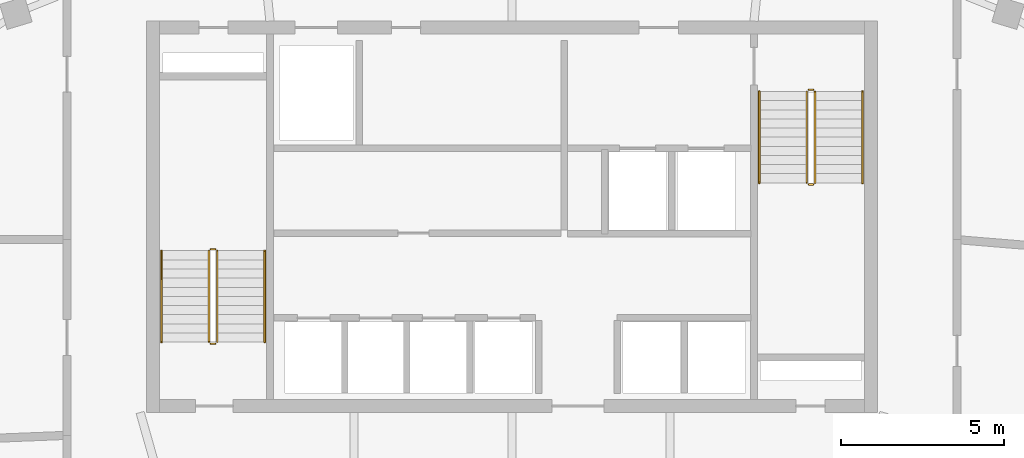
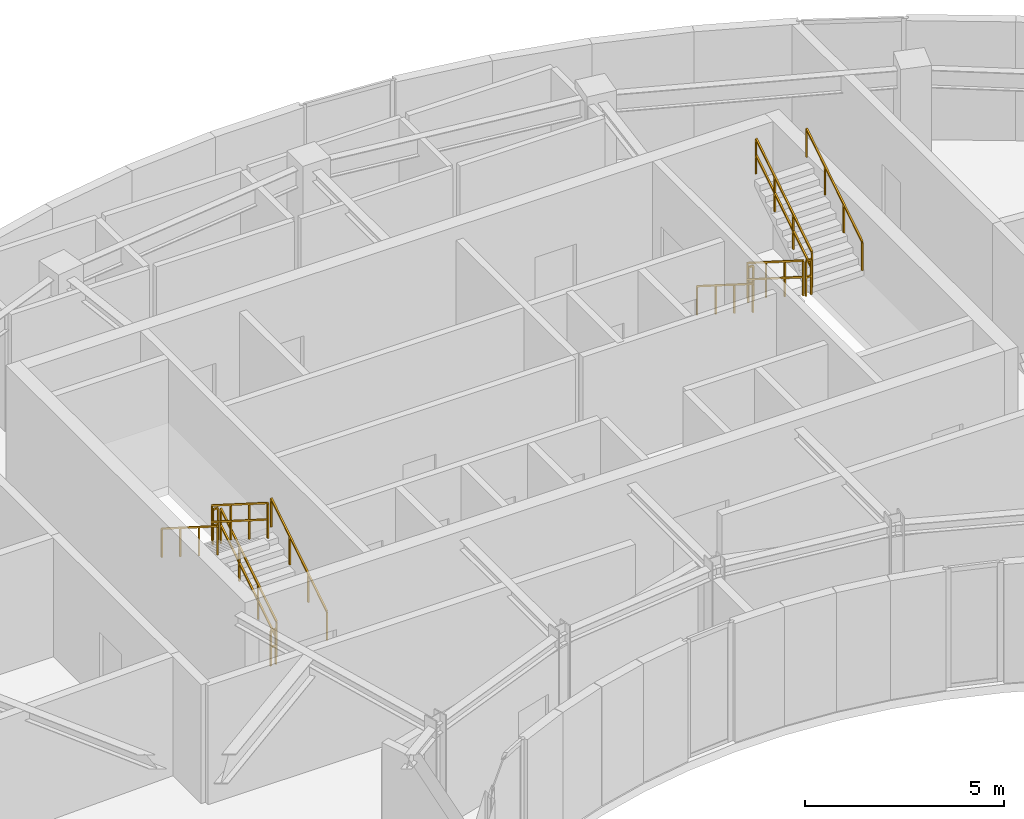
# One storey, part 9 of 9: 12 railings.
"""IFC4 building model written with IfcOpenShell, lengths in metres."""

from ifc_helpers import new_model, si_unit, direction, frame, origin, origin_2d, place, context, subcontext, project, spatial, rectangle, extrude, material, type_object, element, save


model = new_model("IFC4")

# Units and contexts
model_context = context("Model", 3, precision=1e-05, world=origin(), true_north=direction((0.0, 1.0)))
body_context = subcontext(model_context, "Body", "Model", "MODEL_VIEW")
ifc_project = project(units=[si_unit("LENGTHUNIT", "METRE"), si_unit("AREAUNIT", "SQUARE_METRE"), si_unit("VOLUMEUNIT", "CUBIC_METRE"), si_unit("PLANEANGLEUNIT", "RADIAN"), si_unit("MASSUNIT", "GRAM", prefix="KILO")], contexts=[model_context])

# Site, building, storey
site_placement = place(None, origin())
site = spatial("IfcSite", under=ifc_project, at=site_placement, CompositionType="ELEMENT")
building_placement = place(site_placement, origin())
building = spatial("IfcBuilding", under=site, at=building_placement, Name="Breltana Convention Tower", CompositionType="ELEMENT")
storey_placement = place(building_placement, frame((0.0, 0.0, 291.300048828125)))
storey = spatial("IfcBuildingStorey", under=building, at=storey_placement, Name="L71", CompositionType="ELEMENT", Elevation=291.300048828125)

# Railings
ifc_material_1 = material(Name="Steel S275 Painted", Category="steel")
railing_type_1 = type_object("IfcRailingType", Name="RL-STAIR-GUARD-1100", PredefinedType="GUARDRAIL", material=ifc_material_1)
railing_1_placement = place(storey_placement, frame((38.9599609375, 62.360107421875, 0.17724609375)))
element("IfcRailing", 1, at=railing_1_placement, inside=storey, type_object=railing_type_1, Name="L71 ST-1 stair guard 1", PredefinedType="GUARDRAIL", context=body_context, shape_type="SweptSolid", body=[
    extrude(rectangle(XDim=0.048095703125, YDim=0.048095703125, at=origin_2d()), frame((0.0, 0.0, 1.076171875), z_axis=(0.0, 0.844887892834, 0.53494340686), x_axis=(-1.0, 0.0, 0.0)), (0.0, 0.0, 1.0), 3.313720703125),
    extrude(rectangle(XDim=0.048095703125, YDim=0.048095703125, at=origin_2d()), frame((0.0, 0.0, 0.572021484375), z_axis=(0.0, 0.844887892834, 0.53494340686), x_axis=(-1.0, 0.0, 0.0)), (0.0, 0.0, 1.0), 3.313720703125),
    extrude(rectangle(XDim=0.0419921875, YDim=0.0419921875, at=origin_2d()), origin(), (0.0, 0.0, 1.0), 1.052001953125),
    extrude(rectangle(XDim=0.0419921875, YDim=0.0419921875, at=origin_2d()), frame((0.0, 0.933349609375, 0.5908203125)), (0.0, 0.0, 1.0), 1.052001953125),
    extrude(rectangle(XDim=0.0419921875, YDim=0.0419921875, at=origin_2d()), frame((0.0, 1.866455078125, 1.181884765625)), (0.0, 0.0, 1.0), 1.052001953125),
    extrude(rectangle(XDim=0.0419921875, YDim=0.0419921875, at=origin_2d()), frame((0.0, 2.7998046875, 1.772705078125)), (0.0, 0.0, 1.0), 1.052001953125),
])
railing_2_placement = place(storey_placement, frame((38.909912109375, 65.2099609375, 1.949951171875)))
element("IfcRailing", 2, at=railing_2_placement, inside=storey, type_object=railing_type_1, Name="L71 ST-1 stair guard 2", PredefinedType="GUARDRAIL", context=body_context, shape_type="SweptSolid", body=[
    extrude(rectangle(XDim=0.048095703125, YDim=0.048095703125, at=origin_2d()), frame((0.0, 0.0, 1.076171875), z_axis=(-1.0, 0.0, 0.0), x_axis=(0.0, -1.0, 0.0)), (0.0, 0.0, 1.0), 0.14990234375),
    extrude(rectangle(XDim=0.048095703125, YDim=0.048095703125, at=origin_2d()), frame((0.0, 0.0, 0.572021484375), z_axis=(-1.0, 0.0, 0.0), x_axis=(0.0, -1.0, 0.0)), (0.0, 0.0, 1.0), 0.14990234375),
    extrude(rectangle(XDim=0.0419921875, YDim=0.0419921875, at=origin_2d()), origin(), (0.0, 0.0, 1.0), 1.052001953125),
    extrude(rectangle(XDim=0.0419921875, YDim=0.0419921875, at=origin_2d()), frame((-0.14990234375, 0.0, 0.0)), (0.0, 0.0, 1.0), 1.052001953125),
])
railing_3_placement = place(storey_placement, frame((38.7099609375, 65.159912109375, 2.127197265625)))
element("IfcRailing", 3, at=railing_3_placement, inside=storey, type_object=railing_type_1, Name="L71 ST-1 stair guard 3", PredefinedType="GUARDRAIL", context=body_context, shape_type="SweptSolid", body=[
    extrude(rectangle(XDim=0.048095703125, YDim=0.048095703125, at=origin_2d()), frame((0.0, 0.0, 1.076171875), z_axis=(0.0, -0.844887892834, 0.53494340686), x_axis=(1.0, 0.0, 0.0)), (0.0, 0.0, 1.0), 3.313720703125),
    extrude(rectangle(XDim=0.048095703125, YDim=0.048095703125, at=origin_2d()), frame((0.0, 0.0, 0.572021484375), z_axis=(0.0, -0.844887892834, 0.53494340686), x_axis=(1.0, 0.0, 0.0)), (0.0, 0.0, 1.0), 3.313720703125),
    extrude(rectangle(XDim=0.0419921875, YDim=0.0419921875, at=origin_2d()), origin(), (0.0, 0.0, 1.0), 1.052001953125),
    extrude(rectangle(XDim=0.0419921875, YDim=0.0419921875, at=origin_2d()), frame((0.0, -0.933349609375, 0.5908203125)), (0.0, 0.0, 1.0), 1.052001953125),
    extrude(rectangle(XDim=0.0419921875, YDim=0.0419921875, at=origin_2d()), frame((0.0, -1.866455078125, 1.181884765625)), (0.0, 0.0, 1.0), 1.052001953125),
    extrude(rectangle(XDim=0.0419921875, YDim=0.0419921875, at=origin_2d()), frame((0.0, -2.7998046875, 1.772705078125)), (0.0, 0.0, 1.0), 1.052001953125),
])
railing_4_placement = place(storey_placement, frame((38.909912109375, 62.31005859375, 0.0)))
element("IfcRailing", 4, at=railing_4_placement, inside=storey, type_object=railing_type_1, Name="L71 ST-1 stair guard 4", PredefinedType="GUARDRAIL", context=body_context, shape_type="SweptSolid", body=[
    extrude(rectangle(XDim=0.048095703125, YDim=0.048095703125, at=origin_2d()), frame((0.0, 0.0, 1.076171875), z_axis=(-1.0, 0.0, 0.0), x_axis=(0.0, -1.0, 0.0)), (0.0, 0.0, 1.0), 0.14990234375),
    extrude(rectangle(XDim=0.048095703125, YDim=0.048095703125, at=origin_2d()), frame((0.0, 0.0, 0.572021484375), z_axis=(-1.0, 0.0, 0.0), x_axis=(0.0, -1.0, 0.0)), (0.0, 0.0, 1.0), 0.14990234375),
    extrude(rectangle(XDim=0.0419921875, YDim=0.0419921875, at=origin_2d()), origin(), (0.0, 0.0, 1.0), 1.052001953125),
    extrude(rectangle(XDim=0.0419921875, YDim=0.0419921875, at=origin_2d()), frame((-0.14990234375, 0.0, 0.0)), (0.0, 0.0, 1.0), 1.052001953125),
])
railing_5_placement = place(storey_placement, frame((57.0400390625, 70.0400390625, 0.17724609375)))
element("IfcRailing", 5, at=railing_5_placement, inside=storey, type_object=railing_type_1, Name="L71 ST-2 stair guard 1", PredefinedType="GUARDRAIL", context=body_context, shape_type="SweptSolid", body=[
    extrude(rectangle(XDim=0.048095703125, YDim=0.048095703125, at=origin_2d()), frame((0.0, 0.0, 1.076171875), z_axis=(0.0, -0.844908973607, 0.534910110503), x_axis=(1.0, 0.0, 0.0)), (0.0, 0.0, 1.0), 3.31396484375),
    extrude(rectangle(XDim=0.048095703125, YDim=0.048095703125, at=origin_2d()), frame((0.0, 0.0, 0.572021484375), z_axis=(0.0, -0.844908973607, 0.534910110503), x_axis=(1.0, 0.0, 0.0)), (0.0, 0.0, 1.0), 3.31396484375),
    extrude(rectangle(XDim=0.0419921875, YDim=0.0419921875, at=origin_2d()), origin(), (0.0, 0.0, 1.0), 1.052001953125),
    extrude(rectangle(XDim=0.0419921875, YDim=0.0419921875, at=origin_2d()), frame((0.0, -0.933349609375, 0.5908203125)), (0.0, 0.0, 1.0), 1.052001953125),
    extrude(rectangle(XDim=0.0419921875, YDim=0.0419921875, at=origin_2d()), frame((0.0, -1.86669921875, 1.181884765625)), (0.0, 0.0, 1.0), 1.052001953125),
    extrude(rectangle(XDim=0.0419921875, YDim=0.0419921875, at=origin_2d()), frame((0.0, -2.800048828125, 1.772705078125)), (0.0, 0.0, 1.0), 1.052001953125),
])
railing_6_placement = place(storey_placement, frame((57.090087890625, 67.18994140625, 1.949951171875)))
element("IfcRailing", 6, at=railing_6_placement, inside=storey, type_object=railing_type_1, Name="L71 ST-2 stair guard 2", PredefinedType="GUARDRAIL", context=body_context, shape_type="SweptSolid", body=[
    extrude(rectangle(XDim=0.048095703125, YDim=0.048095703125, at=origin_2d()), frame((0.0, 0.0, 1.076171875), z_axis=(1.0, 0.0, 0.0), x_axis=(0.0, 1.0, 0.0)), (0.0, 0.0, 1.0), 0.14990234375),
    extrude(rectangle(XDim=0.048095703125, YDim=0.048095703125, at=origin_2d()), frame((0.0, 0.0, 0.572021484375), z_axis=(1.0, 0.0, 0.0), x_axis=(0.0, 1.0, 0.0)), (0.0, 0.0, 1.0), 0.14990234375),
    extrude(rectangle(XDim=0.0419921875, YDim=0.0419921875, at=origin_2d()), origin(), (0.0, 0.0, 1.0), 1.052001953125),
    extrude(rectangle(XDim=0.0419921875, YDim=0.0419921875, at=origin_2d()), frame((0.14990234375, 0.0, 0.0)), (0.0, 0.0, 1.0), 1.052001953125),
])
railing_7_placement = place(storey_placement, frame((57.2900390625, 67.239990234375, 2.127197265625)))
element("IfcRailing", 7, at=railing_7_placement, inside=storey, type_object=railing_type_1, Name="L71 ST-2 stair guard 3", PredefinedType="GUARDRAIL", context=body_context, shape_type="SweptSolid", body=[
    extrude(rectangle(XDim=0.048095703125, YDim=0.048095703125, at=origin_2d()), frame((0.0, 0.0, 1.076171875), z_axis=(0.0, 0.844908973607, 0.534910110503), x_axis=(-1.0, 0.0, 0.0)), (0.0, 0.0, 1.0), 3.31396484375),
    extrude(rectangle(XDim=0.048095703125, YDim=0.048095703125, at=origin_2d()), frame((0.0, 0.0, 0.572021484375), z_axis=(0.0, 0.844908973607, 0.534910110503), x_axis=(-1.0, 0.0, 0.0)), (0.0, 0.0, 1.0), 3.31396484375),
    extrude(rectangle(XDim=0.0419921875, YDim=0.0419921875, at=origin_2d()), origin(), (0.0, 0.0, 1.0), 1.052001953125),
    extrude(rectangle(XDim=0.0419921875, YDim=0.0419921875, at=origin_2d()), frame((0.0, 0.933349609375, 0.5908203125)), (0.0, 0.0, 1.0), 1.052001953125),
    extrude(rectangle(XDim=0.0419921875, YDim=0.0419921875, at=origin_2d()), frame((0.0, 1.86669921875, 1.181884765625)), (0.0, 0.0, 1.0), 1.052001953125),
    extrude(rectangle(XDim=0.0419921875, YDim=0.0419921875, at=origin_2d()), frame((0.0, 2.800048828125, 1.772705078125)), (0.0, 0.0, 1.0), 1.052001953125),
])
railing_8_placement = place(storey_placement, frame((57.090087890625, 70.090087890625, 0.0)))
element("IfcRailing", 8, at=railing_8_placement, inside=storey, type_object=railing_type_1, Name="L71 ST-2 stair guard 4", PredefinedType="GUARDRAIL", context=body_context, shape_type="SweptSolid", body=[
    extrude(rectangle(XDim=0.048095703125, YDim=0.048095703125, at=origin_2d()), frame((0.0, 0.0, 1.076171875), z_axis=(1.0, 0.0, 0.0), x_axis=(0.0, 1.0, 0.0)), (0.0, 0.0, 1.0), 0.14990234375),
    extrude(rectangle(XDim=0.048095703125, YDim=0.048095703125, at=origin_2d()), frame((0.0, 0.0, 0.572021484375), z_axis=(1.0, 0.0, 0.0), x_axis=(0.0, 1.0, 0.0)), (0.0, 0.0, 1.0), 0.14990234375),
    extrude(rectangle(XDim=0.0419921875, YDim=0.0419921875, at=origin_2d()), origin(), (0.0, 0.0, 1.0), 1.052001953125),
    extrude(rectangle(XDim=0.0419921875, YDim=0.0419921875, at=origin_2d()), frame((0.14990234375, 0.0, 0.0)), (0.0, 0.0, 1.0), 1.052001953125),
])
ifc_material_2 = material(Name="Stainless Steel 316L", Category="steel")
railing_type_2 = type_object("IfcRailingType", Name="RL-STAIR-HANDRAIL-900", PredefinedType="HANDRAIL", material=ifc_material_2)
railing_9_placement = place(storey_placement, frame((40.419921875, 62.360107421875, 0.17724609375)))
element("IfcRailing", 9, at=railing_9_placement, inside=storey, type_object=railing_type_2, Name="L71 ST-1 stair handrail 1", PredefinedType="HANDRAIL", context=body_context, shape_type="SweptSolid", body=[
    extrude(rectangle(XDim=0.048095703125, YDim=0.048095703125, at=origin_2d()), frame((0.0, 0.0, 0.8759765625), z_axis=(0.0, 0.844887892834, 0.53494340686), x_axis=(-1.0, 0.0, 0.0)), (0.0, 0.0, 1.0), 3.313720703125),
    extrude(rectangle(XDim=0.0419921875, YDim=0.0419921875, at=origin_2d()), origin(), (0.0, 0.0, 1.0), 0.851806640625),
    extrude(rectangle(XDim=0.0419921875, YDim=0.0419921875, at=origin_2d()), frame((0.0, 0.933349609375, 0.5908203125)), (0.0, 0.0, 1.0), 0.851806640625),
    extrude(rectangle(XDim=0.0419921875, YDim=0.0419921875, at=origin_2d()), frame((0.0, 1.866455078125, 1.181884765625)), (0.0, 0.0, 1.0), 0.851806640625),
    extrude(rectangle(XDim=0.0419921875, YDim=0.0419921875, at=origin_2d()), frame((0.0, 2.7998046875, 1.772705078125)), (0.0, 0.0, 1.0), 0.851806640625),
])
railing_10_placement = place(storey_placement, frame((37.25, 65.159912109375, 2.127197265625)))
element("IfcRailing", 10, at=railing_10_placement, inside=storey, type_object=railing_type_2, Name="L71 ST-1 stair handrail 2", PredefinedType="HANDRAIL", context=body_context, shape_type="SweptSolid", body=[
    extrude(rectangle(XDim=0.048095703125, YDim=0.048095703125, at=origin_2d()), frame((0.0, 0.0, 0.8759765625), z_axis=(0.0, -0.844887892834, 0.53494340686), x_axis=(1.0, 0.0, 0.0)), (0.0, 0.0, 1.0), 3.313720703125),
    extrude(rectangle(XDim=0.0419921875, YDim=0.0419921875, at=origin_2d()), origin(), (0.0, 0.0, 1.0), 0.851806640625),
    extrude(rectangle(XDim=0.0419921875, YDim=0.0419921875, at=origin_2d()), frame((0.0, -0.933349609375, 0.5908203125)), (0.0, 0.0, 1.0), 0.851806640625),
    extrude(rectangle(XDim=0.0419921875, YDim=0.0419921875, at=origin_2d()), frame((0.0, -1.866455078125, 1.181884765625)), (0.0, 0.0, 1.0), 0.851806640625),
    extrude(rectangle(XDim=0.0419921875, YDim=0.0419921875, at=origin_2d()), frame((0.0, -2.7998046875, 1.772705078125)), (0.0, 0.0, 1.0), 0.851806640625),
])
railing_11_placement = place(storey_placement, frame((55.580078125, 70.0400390625, 0.17724609375)))
element("IfcRailing", 11, at=railing_11_placement, inside=storey, type_object=railing_type_2, Name="L71 ST-2 stair handrail 1", PredefinedType="HANDRAIL", context=body_context, shape_type="SweptSolid", body=[
    extrude(rectangle(XDim=0.048095703125, YDim=0.048095703125, at=origin_2d()), frame((0.0, 0.0, 0.8759765625), z_axis=(0.0, -0.844908973607, 0.534910110503), x_axis=(1.0, 0.0, 0.0)), (0.0, 0.0, 1.0), 3.31396484375),
    extrude(rectangle(XDim=0.0419921875, YDim=0.0419921875, at=origin_2d()), origin(), (0.0, 0.0, 1.0), 0.851806640625),
    extrude(rectangle(XDim=0.0419921875, YDim=0.0419921875, at=origin_2d()), frame((0.0, -0.933349609375, 0.5908203125)), (0.0, 0.0, 1.0), 0.851806640625),
    extrude(rectangle(XDim=0.0419921875, YDim=0.0419921875, at=origin_2d()), frame((0.0, -1.86669921875, 1.181884765625)), (0.0, 0.0, 1.0), 0.851806640625),
    extrude(rectangle(XDim=0.0419921875, YDim=0.0419921875, at=origin_2d()), frame((0.0, -2.800048828125, 1.772705078125)), (0.0, 0.0, 1.0), 0.851806640625),
])
railing_12_placement = place(storey_placement, frame((58.75, 67.239990234375, 2.127197265625)))
element("IfcRailing", 12, at=railing_12_placement, inside=storey, type_object=railing_type_2, Name="L71 ST-2 stair handrail 2", PredefinedType="HANDRAIL", context=body_context, shape_type="SweptSolid", body=[
    extrude(rectangle(XDim=0.048095703125, YDim=0.048095703125, at=origin_2d()), frame((0.0, 0.0, 0.8759765625), z_axis=(0.0, 0.844908973607, 0.534910110503), x_axis=(-1.0, 0.0, 0.0)), (0.0, 0.0, 1.0), 3.31396484375),
    extrude(rectangle(XDim=0.0419921875, YDim=0.0419921875, at=origin_2d()), origin(), (0.0, 0.0, 1.0), 0.851806640625),
    extrude(rectangle(XDim=0.0419921875, YDim=0.0419921875, at=origin_2d()), frame((0.0, 0.933349609375, 0.5908203125)), (0.0, 0.0, 1.0), 0.851806640625),
    extrude(rectangle(XDim=0.0419921875, YDim=0.0419921875, at=origin_2d()), frame((0.0, 1.86669921875, 1.181884765625)), (0.0, 0.0, 1.0), 0.851806640625),
    extrude(rectangle(XDim=0.0419921875, YDim=0.0419921875, at=origin_2d()), frame((0.0, 2.800048828125, 1.772705078125)), (0.0, 0.0, 1.0), 0.851806640625),
])

save(model, "model.ifc")
